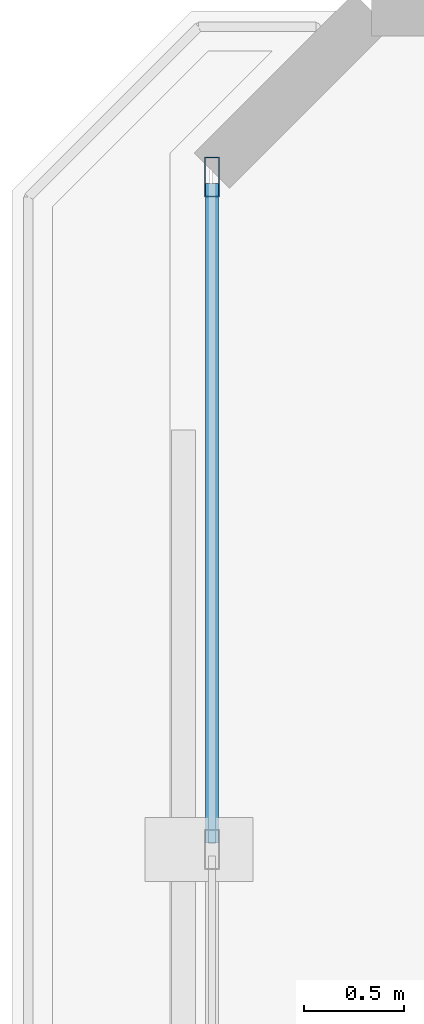
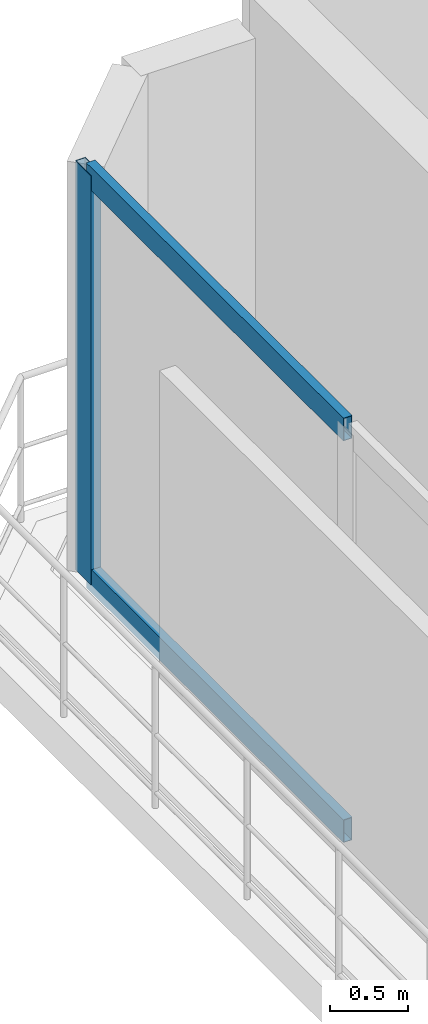
# One storey, part 2 of 7: 3 members, 1 element without a shape of its own.
"""IFC4 building model written with IfcOpenShell, lengths in metres."""

import ifcopenshell
import ifcopenshell.guid

model = None  # the IFC model being written
_history = None  # IfcOwnerHistory: only IFC2X3 demands one
_inside = {}  # id of a spatial element -> (the spatial element, [elements in it])
_under = {}  # id of a project, library or spatial element -> (it, [spatial elements below it])
_declared = {}  # id of a project -> (the project, [libraries it declares])
_typed = {}  # id of a type object -> (the type object, [elements of that type])
_made_of = {}  # id of a material, layer set ... -> (it, [elements and type objects made of it])


def new_model(schema):
    """Start an empty IFC model of exactly this schema.

    Asked for "IFC4X3", IfcOpenShell would pick the latest addendum, in which some entities
    have other attributes; the version numbers below select the first issue.
    IFC2X3 requires an IfcOwnerHistory on every rooted entity: one is made here for all.
    """
    global model, _history
    if schema == "IFC4X3":
        model = ifcopenshell.file(schema_version=(4, 3, 0, 0))
    else:
        model = ifcopenshell.file(schema=schema)
    _inside.clear()
    _under.clear()
    _declared.clear()
    _typed.clear()
    _made_of.clear()
    _history = None
    if model.schema == "IFC2X3":
        org = make("IfcOrganization", Name="unknown")
        user = make(
            "IfcPersonAndOrganization",
            ThePerson=make("IfcPerson", FamilyName="unknown"),
            TheOrganization=org,
        )
        app = make(
            "IfcApplication",
            ApplicationDeveloper=org,
            Version="unknown",
            ApplicationFullName="unknown",
            ApplicationIdentifier="unknown",
        )
        _history = make(
            "IfcOwnerHistory",
            OwningUser=user,
            OwningApplication=app,
            ChangeAction="ADDED",
            CreationDate=0,
        )
    return model


def make(cls, **values):
    """One entity of the class cls with the attributes given. An attribute that is None is left unset."""
    return model.create_entity(
        cls, **{name: value for name, value in values.items() if value is not None}
    )


def rooted(cls, **values):
    """An entity with a GlobalId (a new one), such as an element, a storey or a relation."""
    return make(cls, GlobalId=ifcopenshell.guid.new(), OwnerHistory=_history, **values)


def si_unit(unit_type, name, prefix=None):
    """IfcSIUnit, for example si_unit("LENGTHUNIT", "METRE", prefix="MILLI")."""
    return make("IfcSIUnit", UnitType=unit_type, Prefix=prefix, Name=name)


def assignment(units):
    """IfcUnitAssignment: the units of a project."""
    return None if units is None else make("IfcUnitAssignment", Units=units)


def point(xyz):
    """IfcCartesianPoint."""
    return None if xyz is None else make("IfcCartesianPoint", Coordinates=xyz)


def direction(xyz):
    """IfcDirection."""
    return None if xyz is None else make("IfcDirection", DirectionRatios=xyz)


def frame(location, z_axis=None, x_axis=None):
    """IfcAxis2Placement3D, a coordinate frame: its origin and axes. An axis left out is left unset."""
    return make(
        "IfcAxis2Placement3D",
        Location=point(location),
        Axis=direction(z_axis),
        RefDirection=direction(x_axis),
    )


def frame_2d(location, x_axis=None):
    """IfcAxis2Placement2D, a coordinate frame in the plane: its origin and x axis."""
    return make(
        "IfcAxis2Placement2D", Location=point(location), RefDirection=direction(x_axis)
    )


def origin():
    """The frame at (0, 0, 0) with its axes left unset."""
    return frame((0.0, 0.0, 0.0))


def origin_2d():
    """The frame at (0, 0) in the plane with its x axis left unset."""
    return frame_2d((0.0, 0.0))


def place(relative_to, where):
    """IfcLocalPlacement: puts the frame where relative to a parent placement (None: the world)."""
    return make(
        "IfcLocalPlacement", PlacementRelTo=relative_to, RelativePlacement=where
    )


def context(
    kind, dimensions, precision=None, world=None, true_north=None, identifier=None
):
    """IfcGeometricRepresentationContext, for example the 3D "Model" context."""
    return make(
        "IfcGeometricRepresentationContext",
        ContextIdentifier=identifier,
        ContextType=kind,
        CoordinateSpaceDimension=dimensions,
        Precision=precision,
        WorldCoordinateSystem=world,
        TrueNorth=true_north,
    )


def subcontext(parent, identifier, kind, view, scale=None):
    """IfcGeometricRepresentationSubContext, for example "Body" below "Model"."""
    return make(
        "IfcGeometricRepresentationSubContext",
        ContextIdentifier=identifier,
        ContextType=kind,
        ParentContext=parent,
        TargetScale=scale,
        TargetView=view,
    )


def project(units=None, contexts=None):
    """IfcProject with its units and contexts."""
    return rooted(
        "IfcProject",
        Name="project",
        RepresentationContexts=contexts,
        UnitsInContext=assignment(units),
    )


def spatial(cls, under=None, at=None, **own):
    """A site, building, storey or space (cls), placed at a placement, below another one or the project."""
    s = rooted(cls, ObjectPlacement=at, **own)
    if under is not None:
        _under.setdefault(under.id(), (under, []))[1].append(s)
    return s


def profile(cls, at=None, kind="AREA", **sizes):
    """A parametric profile (cls). Its sizes go by their IFC names, for example OverallWidth=200.0."""
    return make(cls, ProfileType=kind, Position=at, **sizes)


def hollow_rectangle(**sizes):
    """IfcRectangleHollowProfileDef."""
    return profile("IfcRectangleHollowProfileDef", **sizes)


def extrude(swept, where, along, depth):
    """IfcExtrudedAreaSolid: the profile swept, set in the frame where, extruded along a direction by depth."""
    return make(
        "IfcExtrudedAreaSolid",
        SweptArea=swept,
        Position=where,
        ExtrudedDirection=direction(along),
        Depth=depth,
    )


def shape(context_of_items, identifier, shape_type, items):
    """IfcShapeRepresentation: the items that make up one representation, for example the "Body"."""
    return make(
        "IfcShapeRepresentation",
        ContextOfItems=context_of_items,
        RepresentationIdentifier=identifier,
        RepresentationType=shape_type,
        Items=items,
    )


def material(Name=None, Category=None):
    """IfcMaterial."""
    return make("IfcMaterial", Name=Name, Category=Category)


def layer(
    of_material, thickness, ventilated=None, Name=None, Category=None, Priority=None
):
    """IfcMaterialLayer: one layer of a wall or slab, of a material (None: an air gap)."""
    return make(
        "IfcMaterialLayer",
        Material=of_material,
        LayerThickness=thickness,
        IsVentilated=ventilated,
        Name=Name,
        Category=Category,
        Priority=Priority,
    )


def layer_set(layers, Name=None):
    """IfcMaterialLayerSet."""
    return make("IfcMaterialLayerSet", MaterialLayers=layers, LayerSetName=Name)


def material_profile(
    of_material, cross_section, Name=None, Category=None, Priority=None
):
    """IfcMaterialProfile: a cross section and its material."""
    return make(
        "IfcMaterialProfile",
        Name=Name,
        Material=of_material,
        Profile=cross_section,
        Priority=Priority,
        Category=Category,
    )


def profile_set(profiles, Name=None, composite=None):
    """IfcMaterialProfileSet."""
    return make(
        "IfcMaterialProfileSet",
        Name=Name,
        MaterialProfiles=profiles,
        CompositeProfile=composite,
    )


def made_of(thing, what):
    """Note that an element or type object is made of a material, layer set ...; save() writes the relation."""
    if what is not None:
        _made_of.setdefault(what.id(), (what, []))[1].append(thing)
    return thing


def type_object(cls, material=None, **own):
    """A type object (cls), such as IfcWallType, which elements share."""
    return made_of(rooted(cls, **own), material)


def element(
    cls,
    number,
    at=None,
    inside=None,
    cuts=None,
    type_object=None,
    material=None,
    context=None,
    identifier="Body",
    shape_type=None,
    held_by="IfcProductDefinitionShape",
    body=None,
    shapes=None,
    **own,
):
    """One element of the class cls, such as IfcWall. Its Tag is "e" and its number.

    at: its placement. inside: the storey or other place that contains it. cuts: it is an
    opening in that element (IfcRelVoidsElement). A single representation is given by context,
    identifier, shape_type and body (its items); several are given by shapes. held_by: the class
    of the entity that holds the representations. save() writes the other relations.
    """
    e = rooted(cls, Tag="e%d" % number, ObjectPlacement=at, **own)
    if body is not None:
        shapes = [shape(context, identifier, shape_type, body)]
    if shapes is not None:
        e.Representation = make(held_by, Representations=shapes)
    if inside is not None:
        _inside.setdefault(inside.id(), (inside, []))[1].append(e)
    if cuts is not None:
        rooted(
            "IfcRelVoidsElement", RelatingBuildingElement=cuts, RelatedOpeningElement=e
        )
    if type_object is not None:
        _typed.setdefault(type_object.id(), (type_object, []))[1].append(e)
    return made_of(e, material)


def aggregate(whole, parts):
    """IfcRelAggregates: a whole, such as a stair, and the parts it consists of."""
    return rooted("IfcRelAggregates", RelatingObject=whole, RelatedObjects=parts)


def save(model, path):
    """Write the relations noted so far, then the file.

    IfcRelAggregates (storeys below a building ...), IfcRelContainedInSpatialStructure (elements
    in a storey), IfcRelDefinesByType, IfcRelAssociatesMaterial and IfcRelDeclares: one each for
    every whole, place, type object, material and project.
    """
    for whole, parts in _under.values():
        aggregate(whole, parts)
    for where, things in _inside.values():
        rooted(
            "IfcRelContainedInSpatialStructure",
            RelatedElements=things,
            RelatingStructure=where,
        )
    for kind, things in _typed.values():
        rooted("IfcRelDefinesByType", RelatedObjects=things, RelatingType=kind)
    for what, things in _made_of.values():
        rooted("IfcRelAssociatesMaterial", RelatedObjects=things, RelatingMaterial=what)
    for by, libraries in _declared.values():
        rooted("IfcRelDeclares", RelatingContext=by, RelatedDefinitions=libraries)
    model.write(path)


model = new_model("IFC4")

# Units and contexts
model_context = context("Model", 3, precision=1e-05, world=origin(), true_north=direction((0.0, 1.0)))
body_context = subcontext(model_context, "Body", "Model", "MODEL_VIEW")
ifc_project = project(units=[si_unit("LENGTHUNIT", "METRE"), si_unit("AREAUNIT", "SQUARE_METRE"), si_unit("VOLUMEUNIT", "CUBIC_METRE"), si_unit("PLANEANGLEUNIT", "RADIAN"), si_unit("MASSUNIT", "GRAM", prefix="KILO")], contexts=[model_context])

# Site, building, storey
site_placement = place(None, origin())
site = spatial("IfcSite", under=ifc_project, at=site_placement, CompositionType="ELEMENT")
building_placement = place(site_placement, origin())
building = spatial("IfcBuilding", under=site, at=building_placement, Name="Catumbela Crestline Tower", CompositionType="ELEMENT")
storey_placement = place(building_placement, frame((0.0, 0.0, 311.5)))
storey = spatial("IfcBuildingStorey", under=building, at=storey_placement, Name="L80", CompositionType="ELEMENT", Elevation=311.5)

# Curtain wall, members
ifc_material = material(Name="Aluminium alloy AW-6060-T66", Category="aluminium")
ifc_layer = layer(ifc_material, 0.18, Name="Aluminium alloy AW-6060-T66")
ifc_layer_set = layer_set([ifc_layer], Name="Aluminium alloy AW-6060-T66")
curtain_wall_type = type_object("IfcCurtainWallType", Name="CWS-OBS", PredefinedType="USERDEFINED", material=ifc_layer_set)
curtain_wall_placement = place(storey_placement, origin())
curtain_wall = element("IfcCurtainWall", 1, at=curtain_wall_placement, inside=storey, type_object=curtain_wall_type, Name="L80 Stick Curtain Wall CW-L80-E6S1", ObjectType="STICK", PredefinedType="USERDEFINED")
ifc_material_profile_1 = material_profile(ifc_material, hollow_rectangle(XDim=0.075, YDim=0.2, WallThickness=0.005, at=origin_2d()), Name="ALU 200x75x5")
ifc_profile_set_1 = profile_set([ifc_material_profile_1], Name="Aluminium alloy AW-6060-T66")
member_type_1 = type_object("IfcMemberType", Name="MUL-200X75", PredefinedType="MULLION", material=ifc_profile_set_1)
member_1_placement = place(storey_placement, frame((14.2, 42.1675, 0.0), z_axis=(0.0, 0.0, 1.0), x_axis=(1.0, 0.0, 0.0)))
member_1 = element("IfcMember", 2, at=member_1_placement, type_object=member_type_1, Name="CWS-OBS mullion 1", PredefinedType="MULLION", context=body_context, shape_type="SweptSolid", body=[
    extrude(hollow_rectangle(XDim=0.075, YDim=0.2, WallThickness=0.005, at=origin_2d()), origin(), (0.0, 0.0, 1.0), 3.21),
])
ifc_material_profile_2 = material_profile(ifc_material, hollow_rectangle(XDim=0.065, YDim=0.18, WallThickness=0.004, at=origin_2d()), Name="ALU 180x65x4")
ifc_profile_set_2 = profile_set([ifc_material_profile_2], Name="Aluminium alloy AW-6060-T66")
member_type_2 = type_object("IfcMemberType", Name="TRN-180X65", PredefinedType="USERDEFINED", material=ifc_profile_set_2)
member_2_placement = place(storey_placement, frame((14.2, 42.135, 0.03), z_axis=(0.0, -1.0, 0.0), x_axis=(1.0, 0.0, 0.0)))
member_2 = element("IfcMember", 3, at=member_2_placement, type_object=member_type_2, Name="CWS-OBS transom 1.1", ObjectType="TRANSOM", PredefinedType="USERDEFINED", context=body_context, shape_type="SweptSolid", body=[
    extrude(hollow_rectangle(XDim=0.065, YDim=0.18, WallThickness=0.004, at=origin_2d()), origin(), (0.0, 0.0, 1.0), 3.3025),
])
member_3_placement = place(storey_placement, frame((14.2, 42.135, 3.18), z_axis=(0.0, -1.0, 0.0), x_axis=(1.0, 0.0, 0.0)))
member_3 = element("IfcMember", 4, at=member_3_placement, type_object=member_type_2, Name="CWS-OBS transom 1.2", ObjectType="TRANSOM", PredefinedType="USERDEFINED", context=body_context, shape_type="SweptSolid", body=[
    extrude(hollow_rectangle(XDim=0.065, YDim=0.18, WallThickness=0.004, at=origin_2d()), origin(), (0.0, 0.0, 1.0), 3.3025),
])
aggregate(curtain_wall, [member_1, member_2, member_3])

save(model, "model.ifc")
